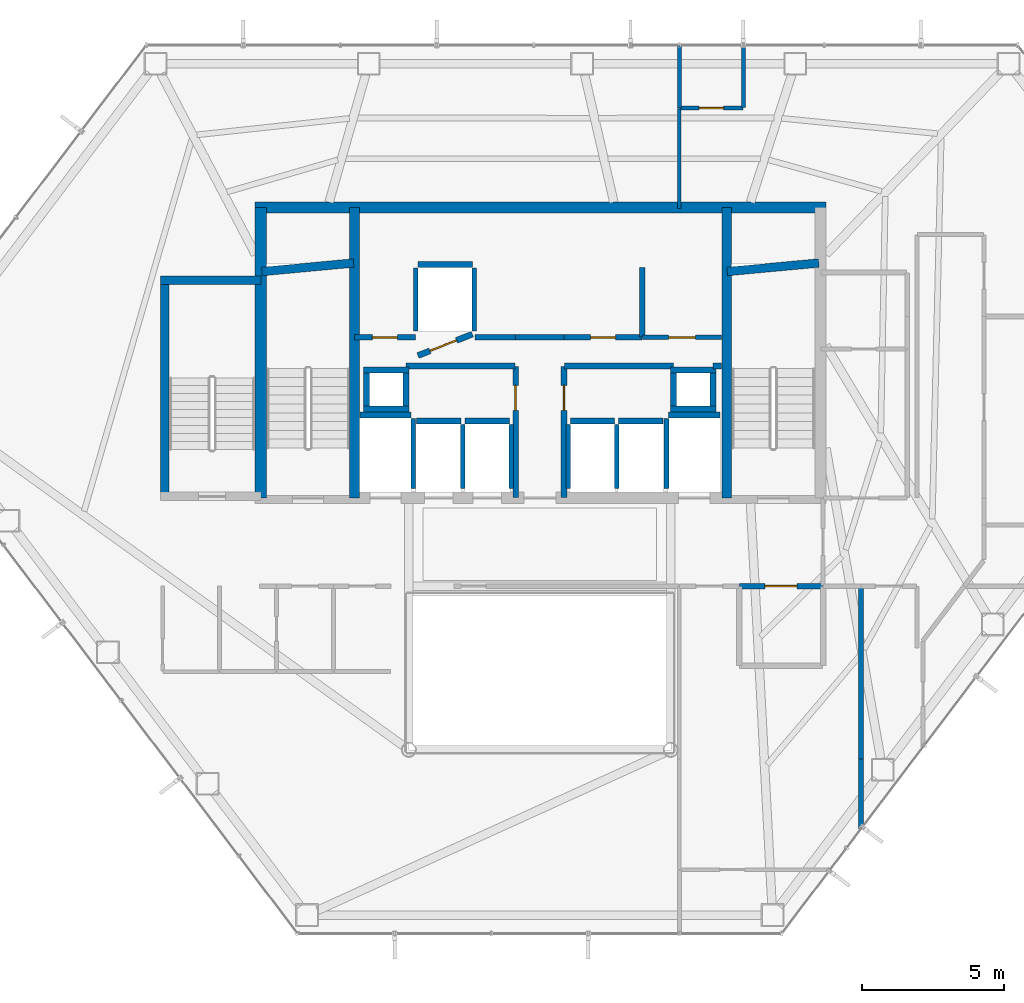
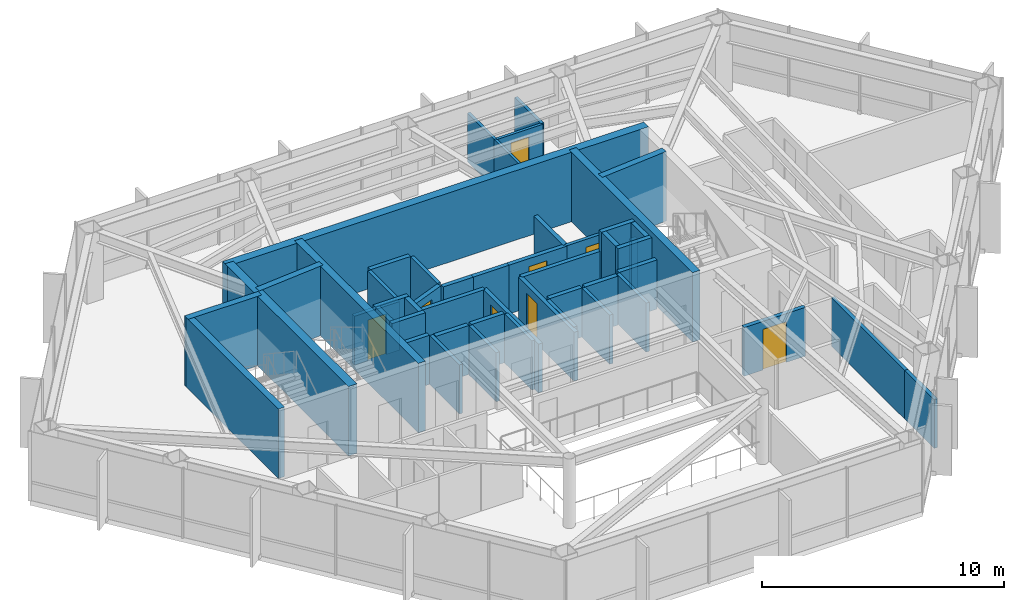
# One storey, part 26 of 29: 50 walls, 8 doors, 8 openings.
"""IFC4 building model written with IfcOpenShell, lengths in metres."""

from ifc_helpers import new_model, si_unit, direction, frame, frame_2d, origin, place, context, subcontext, project, spatial, rectangle, extrude, material, layer, layer_set, type_object, element, fill, save


model = new_model("IFC4")

# Units and contexts
model_context = context("Model", 3, precision=1e-05, world=origin(), true_north=direction((0.0, 1.0)))
body_context = subcontext(model_context, "Body", "Model", "MODEL_VIEW")
ifc_project = project(units=[si_unit("LENGTHUNIT", "METRE"), si_unit("AREAUNIT", "SQUARE_METRE"), si_unit("VOLUMEUNIT", "CUBIC_METRE"), si_unit("PLANEANGLEUNIT", "RADIAN"), si_unit("MASSUNIT", "GRAM", prefix="KILO")], contexts=[model_context])

# Site, building, storey
site_placement = place(None, origin())
site = spatial("IfcSite", under=ifc_project, at=site_placement, CompositionType="ELEMENT")
building_placement = place(site_placement, origin())
building = spatial("IfcBuilding", under=site, at=building_placement, Name="Zarrinselat Tower", CompositionType="ELEMENT")
storey_placement = place(building_placement, frame((0.0, 0.0, 134.639892578125)))
storey = spatial("IfcBuildingStorey", under=building, at=storey_placement, Name="L32", CompositionType="ELEMENT", Elevation=134.639892578125)

# Walls
ifc_material_1 = material(Name="Fire-Rated Gypsum Board Partition", Category="gypsum")
ifc_layer_1 = layer(ifc_material_1, 0.1650390625)
ifc_layer_set_1 = layer_set([ifc_layer_1], Name="Fire-Rated Gypsum Board Partition")
wall_type_1 = type_object("IfcWallType", Name="WAL-PART-DEMISE", PredefinedType="PARTITIONING", material=ifc_layer_set_1)
wall_1_placement = place(storey_placement, frame((49.68359375, 24.077880859375, 0.0), z_axis=(0.0, 0.0, 1.0), x_axis=(0.0, 1.0, 0.0)))
element("IfcWall", 1, at=wall_1_placement, inside=storey, type_object=wall_type_1, Name="L32 Partition Wall 48", PredefinedType="PARTITIONING", context=body_context, shape_type="SweptSolid", body=[
    extrude(rectangle(XDim=6.052001953125, YDim=0.1650390625, at=frame_2d((3.02587890625, 0.0))), origin(), (0.0, 0.0, 1.0), 2.45703125),
])
wall_2_placement = place(storey_placement, frame((49.68359375, 21.639404296875, 0.0), z_axis=(0.0, 0.0, 1.0), x_axis=(0.0, 1.0, 0.0)))
element("IfcWall", 2, at=wall_2_placement, inside=storey, type_object=wall_type_1, Name="L32 Partition Wall 49", PredefinedType="PARTITIONING", context=body_context, shape_type="SweptSolid", body=[
    extrude(rectangle(XDim=2.4384765625, YDim=0.1650390625, at=frame_2d((1.21923828125, 0.0))), origin(), (0.0, 0.0, 1.0), 2.45703125),
])

# Wall, opening, door
ifc_material_2 = material(Name="Concrete C40/50", Category="concrete")
ifc_layer_2 = layer(ifc_material_2, 0.18994140625)
ifc_layer_set_2 = layer_set([ifc_layer_2], Name="Concrete C40/50")
wall_type_2 = type_object("IfcWallType", Name="WAL-PART-EI120", PredefinedType="PARTITIONING", material=ifc_layer_set_2)
wall_3_placement = place(storey_placement, frame((45.405029296875, 30.14990234375, 0.0), z_axis=(0.0, 0.0, 1.0), x_axis=(1.0, 0.0, 0.0)))
wall_3 = element("IfcWall", 3, at=wall_3_placement, inside=storey, type_object=wall_type_2, Name="L32 Partition Wall 12", PredefinedType="PARTITIONING", context=body_context, shape_type="SweptSolid", body=[
    extrude(rectangle(XDim=2.925048828125, YDim=0.18994140625, at=frame_2d((1.46240234375, 0.0))), origin(), (0.0, 0.0, 1.0), 2.45703125),
])
opening_1_placement = place(wall_3_placement, frame((0.902587890625, 0.0, 0.0)))
opening_1 = element("IfcOpeningElement", 4, at=opening_1_placement, cuts=wall_3, Name="Opening ID-02", PredefinedType="OPENING", context=body_context, shape_type="SweptSolid", body=[
    extrude(rectangle(XDim=1.1201171875, YDim=2.050048828125, at=frame_2d((0.56005859375, 1.02490234375))), frame((0.0, 0.10498046875, 0.0), z_axis=(0.0, -1.0, 0.0), x_axis=(1.0, 0.0, 0.0)), (0.0, 0.0, 1.0), 0.2099609375),
])
ifc_material_3 = material(Name="Steel S355J2", Category="steel")
door_type_1 = type_object("IfcDoorType", Name="DR-INT-FD60-W", OperationType="NOTDEFINED", PredefinedType="DOOR", material=ifc_material_3)
door_1_placement = place(opening_1_placement, origin())
door_1 = element("IfcDoor", 5, at=door_1_placement, inside=storey, type_object=door_type_1, Name="L32 Interior Door P12", OperationType="SINGLE_SWING_RIGHT", OverallHeight=2.050048828125, OverallWidth=1.1201171875, PredefinedType="DOOR", context=body_context, shape_type="SweptSolid", body=[
    extrude(rectangle(XDim=1.1201171875, YDim=2.050048828125, at=frame_2d((0.56005859375, 1.02490234375))), frame((0.0, 0.02490234375, 0.0), z_axis=(0.0, -1.0, 0.0), x_axis=(1.0, 0.0, 0.0)), (0.0, 0.0, 1.0), 0.050048828125),
])
fill(opening_1, door_1)

ifc_material_4 = material(Name="Fire-Rated Gypsum Board Partition", Category="gypsum")
ifc_layer_3 = layer(ifc_material_4, 0.14990234375)
ifc_layer_set_3 = layer_set([ifc_layer_3], Name="Fire-Rated Gypsum Board Partition")
wall_type_3 = type_object("IfcWallType", Name="WAL-PART-EI60", PredefinedType="PARTITIONING", material=ifc_layer_set_3)
wall_4_placement = place(storey_placement, frame((42.0048828125, 38.889892578125, 0.0), z_axis=(0.0, 0.0, 1.0), x_axis=(1.0, 0.0, 0.0)))
wall_4 = element("IfcWall", 6, at=wall_4_placement, inside=storey, type_object=wall_type_3, Name="L32 Partition Wall 7", PredefinedType="PARTITIONING", context=body_context, shape_type="SweptSolid", body=[
    extrude(rectangle(XDim=2.780029296875, YDim=0.14990234375, at=frame_2d((1.39013671875, 0.0))), origin(), (0.0, 0.0, 1.0), 2.45703125),
])
opening_2_placement = place(wall_4_placement, frame((0.919921875, 0.0, 0.0)))
opening_2 = element("IfcOpeningElement", 7, at=opening_2_placement, cuts=wall_4, Name="Opening ID-04", PredefinedType="OPENING", context=body_context, shape_type="SweptSolid", body=[
    extrude(rectangle(XDim=0.93994140625, YDim=2.050048828125, at=frame_2d((0.469970703125, 1.02490234375))), frame((0.0, 0.0849609375, 0.0), z_axis=(0.0, -1.0, 0.0), x_axis=(1.0, 0.0, 0.0)), (0.0, 0.0, 1.0), 0.169921875),
])
ifc_material_5 = material(Name="Fire-Rated Gypsum Board Partition")
door_type_2 = type_object("IfcDoorType", Name="DR-INT-FD30-ENT", OperationType="NOTDEFINED", PredefinedType="DOOR", material=ifc_material_5)
door_2_placement = place(opening_2_placement, origin())
door_2 = element("IfcDoor", 8, at=door_2_placement, inside=storey, type_object=door_type_2, Name="L32 Interior Door P7", OperationType="SINGLE_SWING_RIGHT", OverallHeight=2.050048828125, OverallWidth=0.93994140625, PredefinedType="DOOR", context=body_context, shape_type="SweptSolid", body=[
    extrude(rectangle(XDim=0.93994140625, YDim=2.050048828125, at=frame_2d((0.469970703125, 1.02490234375))), frame((0.0, 0.02490234375, 0.0), z_axis=(0.0, -1.0, 0.0), x_axis=(1.0, 0.0, 0.0)), (0.0, 0.0, 1.0), 0.050048828125),
])
fill(opening_2, door_2)

ifc_material_6 = material(Name="Concrete C40/50", Category="concrete")
ifc_layer_4 = layer(ifc_material_6, 0.199951171875)
ifc_layer_set_4 = layer_set([ifc_layer_4], Name="Concrete C40/50")
wall_type_4 = type_object("IfcWallType", Name="WAL-PART-PLANT", PredefinedType="PARTITIONING", material=ifc_layer_set_4)
wall_5_placement = place(storey_placement, frame((37.550048828125, 33.264892578125, 0.0), z_axis=(0.0, 0.0, 1.0), x_axis=(0.0, 1.0, 0.0)))
wall_5 = element("IfcWall", 9, at=wall_5_placement, inside=storey, type_object=wall_type_4, Name="L32 Partition Wall 1", PredefinedType="PARTITIONING", context=body_context, shape_type="SweptSolid", body=[
    extrude(rectangle(XDim=4.59521484375, YDim=0.199951171875, at=frame_2d((2.297607421875, 0.0))), origin(), (0.0, 0.0, 1.0), 2.45703125),
])
opening_3_placement = place(wall_5_placement, frame((3.0576171875, 0.0, 0.0)))
opening_3 = element("IfcOpeningElement", 10, at=opening_3_placement, cuts=wall_5, Name="Opening ID-03", PredefinedType="OPENING", context=body_context, shape_type="SweptSolid", body=[
    extrude(rectangle(XDim=0.8798828125, YDim=2.050048828125, at=frame_2d((0.43994140625, 1.02490234375))), frame((0.0, 0.10986328125, 0.0), z_axis=(0.0, -1.0, 0.0), x_axis=(1.0, 0.0, 0.0)), (0.0, 0.0, 1.0), 0.219970703125),
])
ifc_material_7 = material(Name="Steel S355J2", Category="steel")
door_type_3 = type_object("IfcDoorType", Name="DR-INT-FD60-S", OperationType="NOTDEFINED", PredefinedType="DOOR", material=ifc_material_7)
door_3_placement = place(opening_3_placement, origin())
door_3 = element("IfcDoor", 11, at=door_3_placement, inside=storey, type_object=door_type_3, Name="L32 Interior Door P1", OperationType="SINGLE_SWING_LEFT", OverallHeight=2.050048828125, OverallWidth=0.8798828125, PredefinedType="DOOR", context=body_context, shape_type="SweptSolid", body=[
    extrude(rectangle(XDim=0.8798828125, YDim=2.050048828125, at=frame_2d((0.43994140625, 1.02490234375))), frame((0.0, 0.02490234375, 0.0), z_axis=(0.0, -1.0, 0.0), x_axis=(1.0, 0.0, 0.0)), (0.0, 0.0, 1.0), 0.050048828125),
])
fill(opening_3, door_3)

# Wall
wall_6_placement = place(storey_placement, frame((33.705078125, 37.8798828125, 0.0), z_axis=(0.0, 0.0, 1.0), x_axis=(1.0, 0.0, 0.0)))
element("IfcWall", 12, at=wall_6_placement, inside=storey, type_object=wall_type_4, Name="L32 Partition Wall 2", PredefinedType="PARTITIONING", context=body_context, shape_type="SweptSolid", body=[
    extrude(rectangle(XDim=3.824951171875, YDim=0.199951171875, at=frame_2d((1.91259765625, 0.0))), origin(), (0.0, 0.0, 1.0), 2.45703125),
])

# Wall, opening, door
wall_7_placement = place(storey_placement, frame((31.885009765625, 38.889892578125, 0.0), z_axis=(0.0, 0.0, 1.0), x_axis=(1.0, 0.0, 0.0)))
wall_7 = element("IfcWall", 13, at=wall_7_placement, inside=storey, type_object=wall_type_4, Name="L32 Partition Wall 3", PredefinedType="PARTITIONING", context=body_context, shape_type="SweptSolid", body=[
    extrude(rectangle(XDim=2.14990234375, YDim=0.199951171875, at=frame_2d((1.074951171875, 0.0))), origin(), (0.0, 0.0, 1.0), 2.45703125),
])
opening_4_placement = place(wall_7_placement, frame((0.635009765625, 0.0, 0.0)))
opening_4 = element("IfcOpeningElement", 14, at=opening_4_placement, cuts=wall_7, Name="Opening ID-03", PredefinedType="OPENING", context=body_context, shape_type="SweptSolid", body=[
    extrude(rectangle(XDim=0.8798828125, YDim=2.050048828125, at=frame_2d((0.43994140625, 1.02490234375))), frame((0.0, 0.10986328125, 0.0), z_axis=(0.0, -1.0, 0.0), x_axis=(1.0, 0.0, 0.0)), (0.0, 0.0, 1.0), 0.219970703125),
])
door_4_placement = place(opening_4_placement, origin())
door_4 = element("IfcDoor", 15, at=door_4_placement, inside=storey, type_object=door_type_3, Name="L32 Interior Door P3", OperationType="SINGLE_SWING_RIGHT", OverallHeight=2.050048828125, OverallWidth=0.8798828125, PredefinedType="DOOR", context=body_context, shape_type="SweptSolid", body=[
    extrude(rectangle(XDim=0.8798828125, YDim=2.050048828125, at=frame_2d((0.43994140625, 1.02490234375))), frame((0.0, 0.02490234375, 0.0), z_axis=(0.0, -1.0, 0.0), x_axis=(1.0, 0.0, 0.0)), (0.0, 0.0, 1.0), 0.050048828125),
])
fill(opening_4, door_4)

# Walls
wall_8_placement = place(storey_placement, frame((36.114990234375, 38.889892578125, 0.0), z_axis=(0.0, 0.0, 1.0), x_axis=(1.0, 0.0, 0.0)))
element("IfcWall", 16, at=wall_8_placement, inside=storey, type_object=wall_type_4, Name="L32 Partition Wall 4", PredefinedType="PARTITIONING", context=body_context, shape_type="SweptSolid", body=[
    extrude(rectangle(XDim=1.43505859375, YDim=0.199951171875, at=frame_2d((0.717529296875, 0.0))), origin(), (0.0, 0.0, 1.0), 2.45703125),
])
wall_9_placement = place(storey_placement, frame((37.550048828125, 38.889892578125, 0.0), z_axis=(0.0, 0.0, 1.0), x_axis=(1.0, 0.0, 0.0)))
element("IfcWall", 17, at=wall_9_placement, inside=storey, type_object=wall_type_4, Name="L32 Partition Wall 5", PredefinedType="PARTITIONING", context=body_context, shape_type="SweptSolid", body=[
    extrude(rectangle(XDim=1.699951171875, YDim=0.199951171875, at=frame_2d((0.85009765625, 0.0))), origin(), (0.0, 0.0, 1.0), 2.45703125),
])

# Wall, opening, door
wall_10_placement = place(storey_placement, frame((39.25, 38.889892578125, 0.0), z_axis=(0.0, 0.0, 1.0), x_axis=(1.0, 0.0, 0.0)))
wall_10 = element("IfcWall", 18, at=wall_10_placement, inside=storey, type_object=wall_type_4, Name="L32 Partition Wall 6", PredefinedType="PARTITIONING", context=body_context, shape_type="SweptSolid", body=[
    extrude(rectangle(XDim=2.7451171875, YDim=0.199951171875, at=frame_2d((1.37255859375, 0.0))), origin(), (0.0, 0.0, 1.0), 2.45703125),
])
opening_5_placement = place(wall_10_placement, frame((0.9326171875, 0.0, 0.0)))
opening_5 = element("IfcOpeningElement", 19, at=opening_5_placement, cuts=wall_10, Name="Opening ID-03", PredefinedType="OPENING", context=body_context, shape_type="SweptSolid", body=[
    extrude(rectangle(XDim=0.8798828125, YDim=2.050048828125, at=frame_2d((0.43994140625, 1.02490234375))), frame((0.0, 0.10986328125, 0.0), z_axis=(0.0, -1.0, 0.0), x_axis=(1.0, 0.0, 0.0)), (0.0, 0.0, 1.0), 0.219970703125),
])
door_5_placement = place(opening_5_placement, origin())
door_5 = element("IfcDoor", 20, at=door_5_placement, inside=storey, type_object=door_type_3, Name="L32 Interior Door P6", OperationType="SINGLE_SWING_LEFT", OverallHeight=2.050048828125, OverallWidth=0.8798828125, PredefinedType="DOOR", context=body_context, shape_type="SweptSolid", body=[
    extrude(rectangle(XDim=0.8798828125, YDim=2.050048828125, at=frame_2d((0.43994140625, 1.02490234375))), frame((0.0, 0.02490234375, 0.0), z_axis=(0.0, -1.0, 0.0), x_axis=(1.0, 0.0, 0.0)), (0.0, 0.0, 1.0), 0.050048828125),
])
fill(opening_5, door_5)

# Walls
wall_11_placement = place(storey_placement, frame((39.27001953125, 37.8798828125, 0.0), z_axis=(0.0, 0.0, 1.0), x_axis=(1.0, 0.0, 0.0)))
element("IfcWall", 21, at=wall_11_placement, inside=storey, type_object=wall_type_4, Name="L32 Partition Wall 8", PredefinedType="PARTITIONING", context=body_context, shape_type="SweptSolid", body=[
    extrude(rectangle(XDim=3.824951171875, YDim=0.199951171875, at=frame_2d((1.91259765625, 0.0))), origin(), (0.0, 0.0, 1.0), 2.45703125),
])
wall_12_placement = place(storey_placement, frame((44.485107421875, 37.8798828125, 0.0), z_axis=(0.0, 0.0, 1.0), x_axis=(1.0, 0.0, 0.0)))
element("IfcWall", 22, at=wall_12_placement, inside=storey, type_object=wall_type_4, Name="L32 Partition Wall 9", PredefinedType="PARTITIONING", context=body_context, shape_type="SweptSolid", body=[
    extrude(rectangle(XDim=0.2998046875, YDim=0.199951171875, at=frame_2d((0.14990234375, 0.0))), origin(), (0.0, 0.0, 1.0), 2.45703125),
])

# Wall, opening, door
wall_13_placement = place(storey_placement, frame((39.25, 33.264892578125, 0.0), z_axis=(0.0, 0.0, 1.0), x_axis=(0.0, 1.0, 0.0)))
wall_13 = element("IfcWall", 23, at=wall_13_placement, inside=storey, type_object=wall_type_4, Name="L32 Partition Wall 10", PredefinedType="PARTITIONING", context=body_context, shape_type="SweptSolid", body=[
    extrude(rectangle(XDim=4.59521484375, YDim=0.199951171875, at=frame_2d((2.297607421875, 0.0))), origin(), (0.0, 0.0, 1.0), 2.45703125),
])
opening_6_placement = place(wall_13_placement, frame((3.0576171875, 0.0, 0.0)))
opening_6 = element("IfcOpeningElement", 24, at=opening_6_placement, cuts=wall_13, Name="Opening ID-03", PredefinedType="OPENING", context=body_context, shape_type="SweptSolid", body=[
    extrude(rectangle(XDim=0.8798828125, YDim=2.050048828125, at=frame_2d((0.43994140625, 1.02490234375))), frame((0.0, 0.10986328125, 0.0), z_axis=(0.0, -1.0, 0.0), x_axis=(1.0, 0.0, 0.0)), (0.0, 0.0, 1.0), 0.219970703125),
])
door_6_placement = place(opening_6_placement, origin())
door_6 = element("IfcDoor", 25, at=door_6_placement, inside=storey, type_object=door_type_3, Name="L32 Interior Door P10", OperationType="SINGLE_SWING_LEFT", OverallHeight=2.050048828125, OverallWidth=0.8798828125, PredefinedType="DOOR", context=body_context, shape_type="SweptSolid", body=[
    extrude(rectangle(XDim=0.8798828125, YDim=2.050048828125, at=frame_2d((0.43994140625, 1.02490234375))), frame((0.0, 0.02490234375, 0.0), z_axis=(0.0, -1.0, 0.0), x_axis=(1.0, 0.0, 0.0)), (0.0, 0.0, 1.0), 0.050048828125),
])
fill(opening_6, door_6)

# Walls
wall_14_placement = place(storey_placement, frame((42.0, 38.909912109375, 0.0), z_axis=(0.0, 0.0, 1.0), x_axis=(0.0, 1.0, 0.0)))
element("IfcWall", 26, at=wall_14_placement, inside=storey, type_object=wall_type_4, Name="L32 Partition Wall 11", PredefinedType="PARTITIONING", context=body_context, shape_type="SweptSolid", body=[
    extrude(rectangle(XDim=2.440185546875, YDim=0.199951171875, at=frame_2d((1.22021484375, 0.0))), origin(), (0.0, 0.0, 1.0), 2.45703125),
])
ifc_material_8 = material(Name="Fire-Rated Gypsum Board Partition", Category="gypsum")
ifc_layer_5 = layer(ifc_material_8, 0.1201171875)
ifc_layer_set_5 = layer_set([ifc_layer_5], Name="Fire-Rated Gypsum Board Partition")
wall_type_5 = type_object("IfcWallType", Name="WAL-PART-STD", PredefinedType="PARTITIONING", material=ifc_layer_set_5)
wall_15_placement = place(storey_placement, frame((43.300048828125, 43.4150390625, 0.0), z_axis=(0.0, 0.0, 1.0), x_axis=(0.0, 1.0, 0.0)))
element("IfcWall", 27, at=wall_15_placement, inside=storey, type_object=wall_type_5, Name="L32 Partition Wall 45", PredefinedType="PARTITIONING", context=body_context, shape_type="SweptSolid", body=[
    extrude(rectangle(XDim=3.52001953125, YDim=0.1201171875, at=frame_2d((1.760009765625, 0.0))), origin(), (0.0, 0.0, 1.0), 2.45703125),
])
ifc_material_9 = material(Name="Fire-Rated Gypsum Board Partition", Category="gypsum")
ifc_layer_6 = layer(ifc_material_9, 0.135009765625)
ifc_layer_set_6 = layer_set([ifc_layer_6], Name="Fire-Rated Gypsum Board Partition")
wall_type_6 = type_object("IfcWallType", Name="WAL-PART-WET", PredefinedType="PARTITIONING", material=ifc_layer_set_6)
wall_16_placement = place(storey_placement, frame((43.300048828125, 46.945068359375, 0.0), z_axis=(0.0, 0.0, 1.0), x_axis=(0.0, 1.0, 0.0)))
element("IfcWall", 28, at=wall_16_placement, inside=storey, type_object=wall_type_6, Name="L32 Partition Wall 46", PredefinedType="PARTITIONING", context=body_context, shape_type="SweptSolid", body=[
    extrude(rectangle(XDim=2.18994140625, YDim=0.135009765625, at=frame_2d((1.094970703125, 0.0))), origin(), (0.0, 0.0, 1.0), 2.45703125),
])

# Wall, opening, door
wall_17_placement = place(storey_placement, frame((43.320068359375, 46.93994140625, 0.0), z_axis=(0.0, 0.0, 1.0), x_axis=(1.0, 0.0, 0.0)))
wall_17 = element("IfcWall", 29, at=wall_17_placement, inside=storey, type_object=wall_type_6, Name="L32 Partition Wall 56", PredefinedType="PARTITIONING", context=body_context, shape_type="SweptSolid", body=[
    extrude(rectangle(XDim=2.2099609375, YDim=0.135009765625, at=frame_2d((1.10498046875, 0.0))), origin(), (0.0, 0.0, 1.0), 2.45703125),
])
opening_7_placement = place(wall_17_placement, frame((0.675048828125, 0.0, 0.0)))
opening_7 = element("IfcOpeningElement", 30, at=opening_7_placement, cuts=wall_17, Name="Opening ID-06", PredefinedType="OPENING", context=body_context, shape_type="SweptSolid", body=[
    extrude(rectangle(XDim=0.860107421875, YDim=2.050048828125, at=frame_2d((0.43017578125, 1.02490234375))), frame((0.0, 0.077392578125, 0.0), z_axis=(0.0, -1.0, 0.0), x_axis=(1.0, 0.0, 0.0)), (0.0, 0.0, 1.0), 0.155029296875),
])
ifc_material_10 = material(Name="Extruded Aluminium Alloy EN AW-6063 T6", Category="aluminium")
door_type_4 = type_object("IfcDoorType", Name="DR-INT-WET-900", OperationType="NOTDEFINED", PredefinedType="DOOR", material=ifc_material_10)
door_7_placement = place(opening_7_placement, origin())
door_7 = element("IfcDoor", 31, at=door_7_placement, inside=storey, type_object=door_type_4, Name="L32 Interior Door P56", OperationType="SINGLE_SWING_LEFT", OverallHeight=2.050048828125, OverallWidth=0.860107421875, PredefinedType="DOOR", context=body_context, shape_type="SweptSolid", body=[
    extrude(rectangle(XDim=0.860107421875, YDim=2.050048828125, at=frame_2d((0.43017578125, 1.02490234375))), frame((0.0, 0.02490234375, 0.0), z_axis=(0.0, -1.0, 0.0), x_axis=(1.0, 0.0, 0.0)), (0.0, 0.0, 1.0), 0.050048828125),
])
fill(opening_7, door_7)

# Walls
wall_18_placement = place(storey_placement, frame((45.550048828125, 46.9599609375, 0.0), z_axis=(0.0, 0.0, 1.0), x_axis=(0.0, 1.0, 0.0)))
element("IfcWall", 32, at=wall_18_placement, inside=storey, type_object=wall_type_6, Name="L32 Partition Wall 57", PredefinedType="PARTITIONING", context=body_context, shape_type="SweptSolid", body=[
    extrude(rectangle(XDim=2.175048828125, YDim=0.135009765625, at=frame_2d((1.08740234375, 0.0))), origin(), (0.0, 0.0, 1.0), 2.45703125),
])
ifc_material_11 = material(Name="Concrete C40/50", Category="concrete")
ifc_layer_7 = layer(ifc_material_11, 0.2099609375)
ifc_layer_set_7 = layer_set([ifc_layer_7], Name="Concrete C40/50")
wall_type_7 = type_object("IfcWallType", Name="WAL-SHAFT-210", PredefinedType="SOLIDWALL", material=ifc_layer_set_7)
wall_19_placement = place(storey_placement, frame((32.080078125, 36.155029296875, 0.0), z_axis=(0.0, 0.0, 1.0), x_axis=(1.0, 0.0, 0.0)))
element("IfcWall", 33, at=wall_19_placement, inside=storey, type_object=wall_type_7, Name="L32 Lift FFL1 North Shaft Wall", PredefinedType="SOLIDWALL", context=body_context, shape_type="SweptSolid", body=[
    extrude(rectangle(XDim=1.7998046875, YDim=0.2099609375, at=frame_2d((0.89990234375, 0.0))), origin(), (0.0, 0.0, 1.0), 2.47216796875),
])
wall_20_placement = place(storey_placement, frame((33.949951171875, 33.580078125, 0.0), z_axis=(0.0, 0.0, 1.0), x_axis=(0.0, 1.0, 0.0)))
element("IfcWall", 34, at=wall_20_placement, inside=storey, type_object=wall_type_7, Name="L32 Lift FFL1 E Shaft Wall", PredefinedType="SOLIDWALL", context=body_context, shape_type="SweptSolid", body=[
    extrude(rectangle(XDim=2.449951171875, YDim=0.159912109375, at=frame_2d((1.22509765625, 0.0))), origin(), (0.0, 0.0, 1.0), 2.47216796875),
])
wall_21_placement = place(storey_placement, frame((42.919921875, 36.155029296875, 0.0), z_axis=(0.0, 0.0, 1.0), x_axis=(1.0, 0.0, 0.0)))
element("IfcWall", 35, at=wall_21_placement, inside=storey, type_object=wall_type_7, Name="L32 Lift FFL2 North Shaft Wall", PredefinedType="SOLIDWALL", context=body_context, shape_type="SweptSolid", body=[
    extrude(rectangle(XDim=1.800048828125, YDim=0.2099609375, at=frame_2d((0.89990234375, 0.0))), origin(), (0.0, 0.0, 1.0), 2.47216796875),
])
wall_22_placement = place(storey_placement, frame((42.85009765625, 33.580078125, 0.0), z_axis=(0.0, 0.0, 1.0), x_axis=(0.0, 1.0, 0.0)))
element("IfcWall", 36, at=wall_22_placement, inside=storey, type_object=wall_type_7, Name="L32 Lift FFL2 W Shaft Wall", PredefinedType="SOLIDWALL", context=body_context, shape_type="SweptSolid", body=[
    extrude(rectangle(XDim=2.449951171875, YDim=0.159912109375, at=frame_2d((1.22509765625, 0.0))), origin(), (0.0, 0.0, 1.0), 2.47216796875),
])
wall_23_placement = place(storey_placement, frame((34.070068359375, 35.955078125, 0.0), z_axis=(0.0, 0.0, 1.0), x_axis=(1.0, 0.0, 0.0)))
element("IfcWall", 37, at=wall_23_placement, inside=storey, type_object=wall_type_7, Name="L32 Lift PL5 North Shaft Wall", PredefinedType="SOLIDWALL", context=body_context, shape_type="SweptSolid", body=[
    extrude(rectangle(XDim=1.559814453125, YDim=0.2099609375, at=frame_2d((0.77978515625, 0.0))), origin(), (0.0, 0.0, 1.0), 2.47216796875),
])
wall_24_placement = place(storey_placement, frame((35.699951171875, 33.580078125, 0.0), z_axis=(0.0, 0.0, 1.0), x_axis=(0.0, 1.0, 0.0)))
element("IfcWall", 38, at=wall_24_placement, inside=storey, type_object=wall_type_7, Name="L32 Lift PL5 E Shaft Wall", PredefinedType="SOLIDWALL", context=body_context, shape_type="SweptSolid", body=[
    extrude(rectangle(XDim=2.25, YDim=0.159912109375, at=frame_2d((1.125, 0.0))), origin(), (0.0, 0.0, 1.0), 2.47216796875),
])
wall_25_placement = place(storey_placement, frame((35.77001953125, 35.955078125, 0.0), z_axis=(0.0, 0.0, 1.0), x_axis=(1.0, 0.0, 0.0)))
element("IfcWall", 39, at=wall_25_placement, inside=storey, type_object=wall_type_7, Name="L32 Lift PL6 North Shaft Wall", PredefinedType="SOLIDWALL", context=body_context, shape_type="SweptSolid", body=[
    extrude(rectangle(XDim=1.56005859375, YDim=0.2099609375, at=frame_2d((0.780029296875, 0.0))), origin(), (0.0, 0.0, 1.0), 2.47216796875),
])
wall_26_placement = place(storey_placement, frame((37.39990234375, 33.580078125, 0.0), z_axis=(0.0, 0.0, 1.0), x_axis=(0.0, 1.0, 0.0)))
element("IfcWall", 40, at=wall_26_placement, inside=storey, type_object=wall_type_7, Name="L32 Lift PL6 E Shaft Wall", PredefinedType="SOLIDWALL", context=body_context, shape_type="SweptSolid", body=[
    extrude(rectangle(XDim=2.25, YDim=0.159912109375, at=frame_2d((1.125, 0.0))), origin(), (0.0, 0.0, 1.0), 2.47216796875),
])

# Wall, opening, door
wall_27_placement = place(storey_placement, frame((34.1201171875, 38.25, 0.0), z_axis=(0.0, 0.0, 1.0), x_axis=(0.930804993012, 0.36551616241, 0.0)))
wall_27 = element("IfcWall", 41, at=wall_27_placement, inside=storey, type_object=wall_type_7, Name="L32 Lift PL7 Front Shaft Wall", PredefinedType="SOLIDWALL", context=body_context, shape_type="SweptSolid", body=[
    extrude(rectangle(XDim=2.052001953125, YDim=0.2099609375, at=frame_2d((1.02587890625, 0.0))), origin(), (0.0, 0.0, 1.0), 2.47216796875),
])
opening_8_placement = place(wall_27_placement, frame((0.455078125, 0.0, 0.0)))
opening_8 = element("IfcOpeningElement", 42, at=opening_8_placement, cuts=wall_27, Name="Opening LD-PL7", PredefinedType="OPENING", context=body_context, shape_type="SweptSolid", body=[
    extrude(rectangle(XDim=1.0, YDim=2.10009765625, at=frame_2d((0.5, 1.050048828125))), frame((0.0, 0.114990234375, 0.0), z_axis=(0.0, -1.0, 0.0), x_axis=(1.0, 0.0, 0.0)), (0.0, 0.0, 1.0), 0.22998046875),
])
ifc_material_12 = material(Name="Steel S355J2", Category="steel")
door_type_5 = type_object("IfcDoorType", Name="DR-LIFT-PS-1000", OperationType="NOTDEFINED", PredefinedType="DOOR", material=ifc_material_12)
door_8_placement = place(opening_8_placement, origin())
door_8 = element("IfcDoor", 43, at=door_8_placement, inside=storey, type_object=door_type_5, Name="L32 Lift PL7 Sliding Landing Door", OperationType="SLIDING_TO_LEFT", OverallHeight=2.10009765625, OverallWidth=1.0, PredefinedType="DOOR", context=body_context, shape_type="SweptSolid", body=[
    extrude(rectangle(XDim=1.0, YDim=2.10009765625, at=frame_2d((0.5, 1.050048828125))), frame((0.0, 0.02490234375, 0.0), z_axis=(0.0, -1.0, 0.0), x_axis=(1.0, 0.0, 0.0)), (0.0, 0.0, 1.0), 0.050048828125),
])
fill(opening_8, door_8)

# Walls
wall_28_placement = place(storey_placement, frame((34.1201171875, 41.455078125, 0.0), z_axis=(0.0, 0.0, 1.0), x_axis=(1.0, 0.0, 0.0)))
element("IfcWall", 44, at=wall_28_placement, inside=storey, type_object=wall_type_7, Name="L32 Lift PL7 Rear Shaft Wall", PredefinedType="SOLIDWALL", context=body_context, shape_type="SweptSolid", body=[
    extrude(rectangle(XDim=1.909912109375, YDim=0.2099609375, at=frame_2d((0.955078125, 0.0))), origin(), (0.0, 0.0, 1.0), 2.47216796875),
])
for number, where, z_axis, x_axis, name in (
    (45, (34.050048828125, 39.1201171875, 0.0), (0.0, 0.0, 1.0), (0.0, 1.0, 0.0), "L32 Lift PL7 W Shaft Wall"),
    (46, (36.10009765625, 39.1201171875, 0.0), (0.0, 0.0, 1.0), (0.0, 1.0, 0.0), "L32 Lift PL7 E Shaft Wall"),
):
    element("IfcWall", number, at=place(storey_placement, frame(where, z_axis=z_axis, x_axis=x_axis)), inside=storey, type_object=wall_type_7, Name=name, PredefinedType="SOLIDWALL", context=body_context, shape_type="SweptSolid", body=[
        extrude(rectangle(XDim=2.2099609375, YDim=0.159912109375, at=frame_2d((1.10498046875, 0.0))), origin(), (0.0, 0.0, 1.0), 2.47216796875),
    ])
wall_29_placement = place(storey_placement, frame((39.469970703125, 35.955078125, 0.0), z_axis=(0.0, 0.0, 1.0), x_axis=(1.0, 0.0, 0.0)))
element("IfcWall", 47, at=wall_29_placement, inside=storey, type_object=wall_type_7, Name="L32 Lift PL8 North Shaft Wall", PredefinedType="SOLIDWALL", context=body_context, shape_type="SweptSolid", body=[
    extrude(rectangle(XDim=1.56005859375, YDim=0.2099609375, at=frame_2d((0.780029296875, 0.0))), origin(), (0.0, 0.0, 1.0), 2.47216796875),
])
for number, where, z_axis, x_axis, name in (
    (48, (39.39990234375, 33.580078125, 0.0), (0.0, 0.0, 1.0), (0.0, 1.0, 0.0), "L32 Lift PL8 W Shaft Wall"),
    (49, (41.10009765625, 33.580078125, 0.0), (0.0, 0.0, 1.0), (0.0, 1.0, 0.0), "L32 Lift PL8 E Shaft Wall"),
):
    element("IfcWall", number, at=place(storey_placement, frame(where, z_axis=z_axis, x_axis=x_axis)), inside=storey, type_object=wall_type_7, Name=name, PredefinedType="SOLIDWALL", context=body_context, shape_type="SweptSolid", body=[
        extrude(rectangle(XDim=2.25, YDim=0.159912109375, at=frame_2d((1.125, 0.0))), origin(), (0.0, 0.0, 1.0), 2.47216796875),
    ])
wall_30_placement = place(storey_placement, frame((41.169921875, 35.955078125, 0.0), z_axis=(0.0, 0.0, 1.0), x_axis=(1.0, 0.0, 0.0)))
element("IfcWall", 50, at=wall_30_placement, inside=storey, type_object=wall_type_7, Name="L32 Lift PL9 North Shaft Wall", PredefinedType="SOLIDWALL", context=body_context, shape_type="SweptSolid", body=[
    extrude(rectangle(XDim=1.56005859375, YDim=0.2099609375, at=frame_2d((0.780029296875, 0.0))), origin(), (0.0, 0.0, 1.0), 2.47216796875),
])
for number, where, z_axis, x_axis, name in (
    (51, (32.2099609375, 36.375, 0.0), (0.0, 0.0, 1.0), (1.0, 0.0, 0.0), "L32 Core Riser RSR-W S Shaft Wall"),
    (52, (32.2099609375, 37.7451171875, 0.0), (0.0, 0.0, 1.0), (1.0, 0.0, 0.0), "L32 Core Riser RSR-W N Shaft Wall"),
):
    element("IfcWall", number, at=place(storey_placement, frame(where, z_axis=z_axis, x_axis=x_axis)), inside=storey, type_object=wall_type_7, Name=name, PredefinedType="SOLIDWALL", context=body_context, shape_type="SweptSolid", body=[
        extrude(rectangle(XDim=1.60009765625, YDim=0.2099609375, at=frame_2d((0.800048828125, 0.0))), origin(), (0.0, 0.0, 1.0), 3.5),
    ])
for number, where, z_axis, x_axis, name in (
    (53, (32.31494140625, 36.485107421875, 0.0), (0.0, 0.0, 1.0), (0.0, 1.0, 0.0), "L32 Core Riser RSR-W W Shaft Wall"),
    (54, (33.705078125, 36.485107421875, 0.0), (0.0, 0.0, 1.0), (0.0, 1.0, 0.0), "L32 Core Riser RSR-W E Shaft Wall"),
):
    element("IfcWall", number, at=place(storey_placement, frame(where, z_axis=z_axis, x_axis=x_axis)), inside=storey, type_object=wall_type_7, Name=name, PredefinedType="SOLIDWALL", context=body_context, shape_type="SweptSolid", body=[
        extrude(rectangle(XDim=1.14990234375, YDim=0.2099609375, at=frame_2d((0.574951171875, 0.0))), origin(), (0.0, 0.0, 1.0), 3.5),
    ])
for number, where, z_axis, x_axis, name in (
    (55, (42.989990234375, 36.375, 0.0), (0.0, 0.0, 1.0), (1.0, 0.0, 0.0), "L32 Core Riser RSR-E S Shaft Wall"),
    (56, (42.989990234375, 37.7451171875, 0.0), (0.0, 0.0, 1.0), (1.0, 0.0, 0.0), "L32 Core Riser RSR-E N Shaft Wall"),
):
    element("IfcWall", number, at=place(storey_placement, frame(where, z_axis=z_axis, x_axis=x_axis)), inside=storey, type_object=wall_type_7, Name=name, PredefinedType="SOLIDWALL", context=body_context, shape_type="SweptSolid", body=[
        extrude(rectangle(XDim=1.60009765625, YDim=0.2099609375, at=frame_2d((0.800048828125, 0.0))), origin(), (0.0, 0.0, 1.0), 3.5),
    ])
for number, where, z_axis, x_axis, name in (
    (57, (43.094970703125, 36.485107421875, 0.0), (0.0, 0.0, 1.0), (0.0, 1.0, 0.0), "L32 Core Riser RSR-E W Shaft Wall"),
    (58, (44.485107421875, 36.485107421875, 0.0), (0.0, 0.0, 1.0), (0.0, 1.0, 0.0), "L32 Core Riser RSR-E E Shaft Wall"),
):
    element("IfcWall", number, at=place(storey_placement, frame(where, z_axis=z_axis, x_axis=x_axis)), inside=storey, type_object=wall_type_7, Name=name, PredefinedType="SOLIDWALL", context=body_context, shape_type="SweptSolid", body=[
        extrude(rectangle(XDim=1.14990234375, YDim=0.2099609375, at=frame_2d((0.574951171875, 0.0))), origin(), (0.0, 0.0, 1.0), 3.5),
    ])
ifc_material_13 = material(Name="Concrete C40/50", Category="concrete")
ifc_layer_8 = layer(ifc_material_13, 0.300048828125)
ifc_layer_set_8 = layer_set([ifc_layer_8], Name="Concrete C40/50")
wall_type_8 = type_object("IfcWallType", Name="WAL-SHEAR-300", PredefinedType="SHEAR", material=ifc_layer_set_8)
wall_31_placement = place(storey_placement, frame((28.639892578125, 41.199951171875, 0.0), z_axis=(0.0, 0.0, 1.0), x_axis=(0.995687118776, 0.092774789157, 0.0)))
element("IfcWall", 59, at=wall_31_placement, inside=storey, type_object=wall_type_8, Name="L32 Stair 1 North Shaft Wall", PredefinedType="SHEAR", context=body_context, shape_type="SweptSolid", body=[
    extrude(rectangle(XDim=3.234130859375, YDim=0.300048828125, at=frame_2d((1.6171875, 0.0))), origin(), (0.0, 0.0, 1.0), 3.5),
])
wall_32_placement = place(storey_placement, frame((44.97998046875, 41.199951171875, 0.0), z_axis=(0.0, 0.0, 1.0), x_axis=(0.995686468965, 0.09278176286, 0.0)))
element("IfcWall", 60, at=wall_32_placement, inside=storey, type_object=wall_type_8, Name="L32 Stair 2 North Shaft Wall", PredefinedType="SHEAR", context=body_context, shape_type="SweptSolid", body=[
    extrude(rectangle(XDim=3.23388671875, YDim=0.300048828125, at=frame_2d((1.616943359375, 0.0))), origin(), (0.0, 0.0, 1.0), 3.5),
])
wall_33_placement = place(storey_placement, frame((25.080078125, 40.89990234375, 0.0), z_axis=(0.0, 0.0, 1.0), x_axis=(1.0, 0.0, 0.0)))
element("IfcWall", 61, at=wall_33_placement, inside=storey, type_object=wall_type_8, Name="L32 Stair 3 North Shear Wall", PredefinedType="SHEAR", context=body_context, shape_type="SweptSolid", body=[
    extrude(rectangle(XDim=3.52001953125, YDim=0.300048828125, at=frame_2d((1.760009765625, 0.0))), origin(), (0.0, 0.0, 1.0), 3.5),
])
wall_34_placement = place(storey_placement, frame((25.22998046875, 33.300048828125, 0.0), z_axis=(0.0, 0.0, 1.0), x_axis=(0.0, 1.0, 0.0)))
element("IfcWall", 62, at=wall_34_placement, inside=storey, type_object=wall_type_8, Name="L32 Stair 3 West Shear Wall", PredefinedType="SHEAR", context=body_context, shape_type="SweptSolid", body=[
    extrude(rectangle(XDim=7.599853515625, YDim=0.300048828125, at=frame_2d((3.7998046875, 0.0))), origin(), (0.0, 0.0, 1.0), 3.5),
])
ifc_material_14 = material(Name="Concrete C50/60", Category="concrete")
ifc_layer_9 = layer(ifc_material_14, 0.35009765625)
ifc_layer_set_9 = layer_set([ifc_layer_9], Name="Concrete C50/60")
wall_type_9 = type_object("IfcWallType", Name="WAL-SHEAR-350", PredefinedType="SHEAR", material=ifc_layer_set_9)
for number, where, z_axis, x_axis, name in (
    (63, (31.89501953125, 33.25, 0.0), (0.0, 0.0, 1.0), (0.0, 1.0, 0.0), "L32 Core Shear Wall ST1E"),
    (64, (44.965087890625, 33.25, 0.0), (0.0, 0.0, 1.0), (0.0, 1.0, 0.0), "L32 Core Shear Wall ST2W"),
):
    element("IfcWall", number, at=place(storey_placement, frame(where, z_axis=z_axis, x_axis=x_axis)), inside=storey, type_object=wall_type_9, Name=name, PredefinedType="SHEAR", context=body_context, shape_type="SweptSolid", body=[
        extrude(rectangle(XDim=10.199951171875, YDim=0.35009765625, at=frame_2d((5.10009765625, 0.0))), origin(), (0.0, 0.0, 1.0), 3.5),
    ])
ifc_material_15 = material(Name="Concrete C60/75", Category="concrete")
ifc_layer_10 = layer(ifc_material_15, 0.39990234375)
ifc_layer_set_10 = layer_set([ifc_layer_10], Name="Concrete C60/75")
wall_type_10 = type_object("IfcWallType", Name="WAL-SHEAR-400", PredefinedType="SHEAR", material=ifc_layer_set_10)
wall_35_placement = place(storey_placement, frame((28.39990234375, 43.449951171875, 0.0), z_axis=(0.0, 0.0, 1.0), x_axis=(1.0, 0.0, 0.0)))
element("IfcWall", 65, at=wall_35_placement, inside=storey, type_object=wall_type_10, Name="L32 North Core Shear Wall", PredefinedType="SHEAR", context=body_context, shape_type="SweptSolid", body=[
    extrude(rectangle(XDim=20.06005859375, YDim=0.39990234375, at=frame_2d((10.030029296875, 0.0))), origin(), (0.0, 0.0, 1.0), 3.5),
])
wall_36_placement = place(storey_placement, frame((28.60009765625, 33.25, 0.0), z_axis=(0.0, 0.0, 1.0), x_axis=(0.0, 1.0, 0.0)))
element("IfcWall", 66, at=wall_36_placement, inside=storey, type_object=wall_type_10, Name="L32 Core Shear Wall W", PredefinedType="SHEAR", context=body_context, shape_type="SweptSolid", body=[
    extrude(rectangle(XDim=10.199951171875, YDim=0.39990234375, at=frame_2d((5.10009765625, 0.0))), origin(), (0.0, 0.0, 1.0), 3.5),
])

save(model, "model.ifc")
